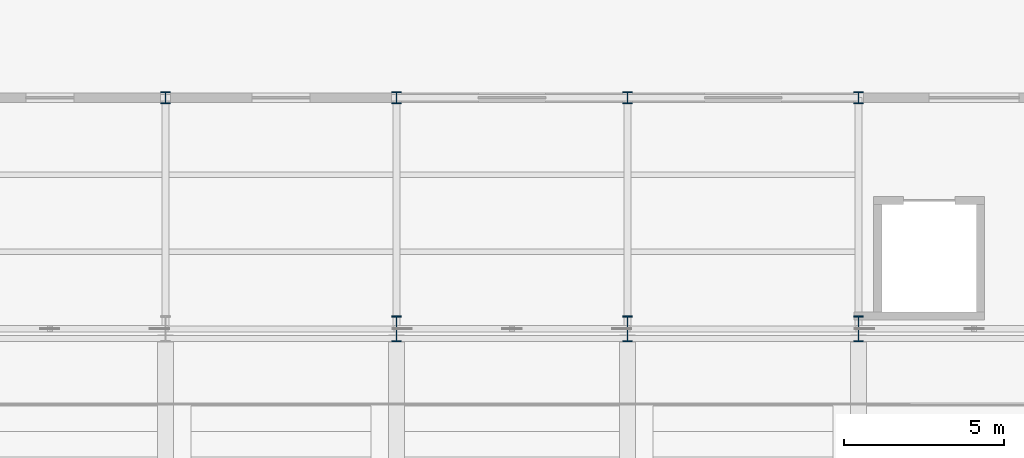
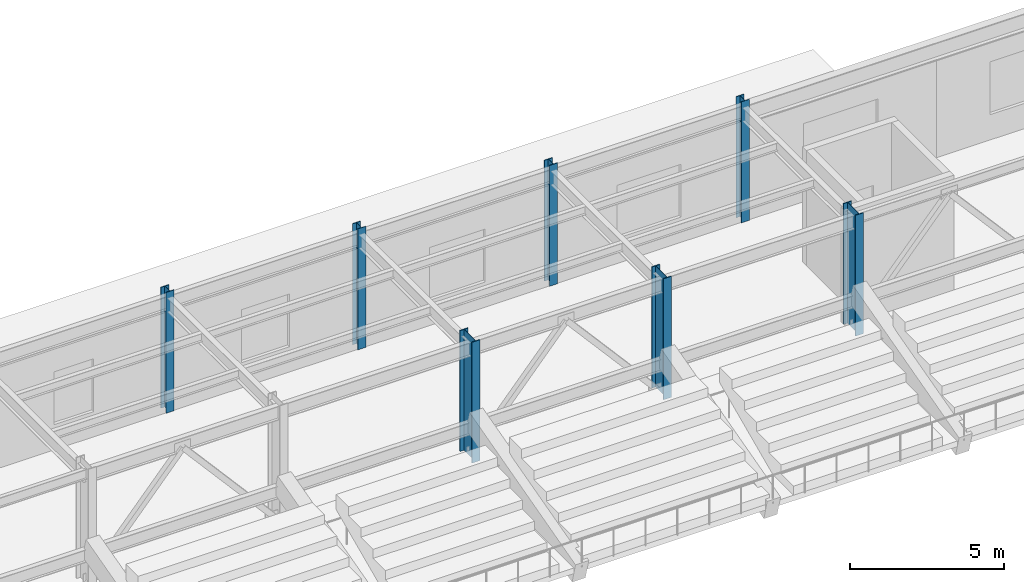
# One storey, part 7 of 121: 7 columns.
"""IFC4 building model written with IfcOpenShell, lengths in metres."""

import ifcopenshell
import ifcopenshell.guid

model = None  # the IFC model being written
_history = None  # IfcOwnerHistory: only IFC2X3 demands one
_inside = {}  # id of a spatial element -> (the spatial element, [elements in it])
_under = {}  # id of a project, library or spatial element -> (it, [spatial elements below it])
_declared = {}  # id of a project -> (the project, [libraries it declares])
_typed = {}  # id of a type object -> (the type object, [elements of that type])
_made_of = {}  # id of a material, layer set ... -> (it, [elements and type objects made of it])


def new_model(schema):
    """Start an empty IFC model of exactly this schema.

    Asked for "IFC4X3", IfcOpenShell would pick the latest addendum, in which some entities
    have other attributes; the version numbers below select the first issue.
    IFC2X3 requires an IfcOwnerHistory on every rooted entity: one is made here for all.
    """
    global model, _history
    if schema == "IFC4X3":
        model = ifcopenshell.file(schema_version=(4, 3, 0, 0))
    else:
        model = ifcopenshell.file(schema=schema)
    _inside.clear()
    _under.clear()
    _declared.clear()
    _typed.clear()
    _made_of.clear()
    _history = None
    if model.schema == "IFC2X3":
        org = make("IfcOrganization", Name="unknown")
        user = make(
            "IfcPersonAndOrganization",
            ThePerson=make("IfcPerson", FamilyName="unknown"),
            TheOrganization=org,
        )
        app = make(
            "IfcApplication",
            ApplicationDeveloper=org,
            Version="unknown",
            ApplicationFullName="unknown",
            ApplicationIdentifier="unknown",
        )
        _history = make(
            "IfcOwnerHistory",
            OwningUser=user,
            OwningApplication=app,
            ChangeAction="ADDED",
            CreationDate=0,
        )
    return model


def make(cls, **values):
    """One entity of the class cls with the attributes given. An attribute that is None is left unset."""
    return model.create_entity(
        cls, **{name: value for name, value in values.items() if value is not None}
    )


def rooted(cls, **values):
    """An entity with a GlobalId (a new one), such as an element, a storey or a relation."""
    return make(cls, GlobalId=ifcopenshell.guid.new(), OwnerHistory=_history, **values)


def si_unit(unit_type, name, prefix=None):
    """IfcSIUnit, for example si_unit("LENGTHUNIT", "METRE", prefix="MILLI")."""
    return make("IfcSIUnit", UnitType=unit_type, Prefix=prefix, Name=name)


def assignment(units):
    """IfcUnitAssignment: the units of a project."""
    return None if units is None else make("IfcUnitAssignment", Units=units)


def point(xyz):
    """IfcCartesianPoint."""
    return None if xyz is None else make("IfcCartesianPoint", Coordinates=xyz)


def direction(xyz):
    """IfcDirection."""
    return None if xyz is None else make("IfcDirection", DirectionRatios=xyz)


def frame(location, z_axis=None, x_axis=None):
    """IfcAxis2Placement3D, a coordinate frame: its origin and axes. An axis left out is left unset."""
    return make(
        "IfcAxis2Placement3D",
        Location=point(location),
        Axis=direction(z_axis),
        RefDirection=direction(x_axis),
    )


def frame_2d(location, x_axis=None):
    """IfcAxis2Placement2D, a coordinate frame in the plane: its origin and x axis."""
    return make(
        "IfcAxis2Placement2D", Location=point(location), RefDirection=direction(x_axis)
    )


def origin():
    """The frame at (0, 0, 0) with its axes left unset."""
    return frame((0.0, 0.0, 0.0))


def origin_2d():
    """The frame at (0, 0) in the plane with its x axis left unset."""
    return frame_2d((0.0, 0.0))


def place(relative_to, where):
    """IfcLocalPlacement: puts the frame where relative to a parent placement (None: the world)."""
    return make(
        "IfcLocalPlacement", PlacementRelTo=relative_to, RelativePlacement=where
    )


def context(
    kind, dimensions, precision=None, world=None, true_north=None, identifier=None
):
    """IfcGeometricRepresentationContext, for example the 3D "Model" context."""
    return make(
        "IfcGeometricRepresentationContext",
        ContextIdentifier=identifier,
        ContextType=kind,
        CoordinateSpaceDimension=dimensions,
        Precision=precision,
        WorldCoordinateSystem=world,
        TrueNorth=true_north,
    )


def subcontext(parent, identifier, kind, view, scale=None):
    """IfcGeometricRepresentationSubContext, for example "Body" below "Model"."""
    return make(
        "IfcGeometricRepresentationSubContext",
        ContextIdentifier=identifier,
        ContextType=kind,
        ParentContext=parent,
        TargetScale=scale,
        TargetView=view,
    )


def project(units=None, contexts=None):
    """IfcProject with its units and contexts."""
    return rooted(
        "IfcProject",
        Name="project",
        RepresentationContexts=contexts,
        UnitsInContext=assignment(units),
    )


def spatial(cls, under=None, at=None, **own):
    """A site, building, storey or space (cls), placed at a placement, below another one or the project."""
    s = rooted(cls, ObjectPlacement=at, **own)
    if under is not None:
        _under.setdefault(under.id(), (under, []))[1].append(s)
    return s


def profile(cls, at=None, kind="AREA", **sizes):
    """A parametric profile (cls). Its sizes go by their IFC names, for example OverallWidth=200.0."""
    return make(cls, ProfileType=kind, Position=at, **sizes)


def i_section(**sizes):
    """IfcIShapeProfileDef."""
    return profile("IfcIShapeProfileDef", **sizes)


def extrude(swept, where, along, depth):
    """IfcExtrudedAreaSolid: the profile swept, set in the frame where, extruded along a direction by depth."""
    return make(
        "IfcExtrudedAreaSolid",
        SweptArea=swept,
        Position=where,
        ExtrudedDirection=direction(along),
        Depth=depth,
    )


def shape(context_of_items, identifier, shape_type, items):
    """IfcShapeRepresentation: the items that make up one representation, for example the "Body"."""
    return make(
        "IfcShapeRepresentation",
        ContextOfItems=context_of_items,
        RepresentationIdentifier=identifier,
        RepresentationType=shape_type,
        Items=items,
    )


def material(Name=None, Category=None):
    """IfcMaterial."""
    return make("IfcMaterial", Name=Name, Category=Category)


def material_profile(
    of_material, cross_section, Name=None, Category=None, Priority=None
):
    """IfcMaterialProfile: a cross section and its material."""
    return make(
        "IfcMaterialProfile",
        Name=Name,
        Material=of_material,
        Profile=cross_section,
        Priority=Priority,
        Category=Category,
    )


def profile_set(profiles, Name=None, composite=None):
    """IfcMaterialProfileSet."""
    return make(
        "IfcMaterialProfileSet",
        Name=Name,
        MaterialProfiles=profiles,
        CompositeProfile=composite,
    )


def made_of(thing, what):
    """Note that an element or type object is made of a material, layer set ...; save() writes the relation."""
    if what is not None:
        _made_of.setdefault(what.id(), (what, []))[1].append(thing)
    return thing


def type_object(cls, material=None, **own):
    """A type object (cls), such as IfcWallType, which elements share."""
    return made_of(rooted(cls, **own), material)


def element(
    cls,
    number,
    at=None,
    inside=None,
    cuts=None,
    type_object=None,
    material=None,
    context=None,
    identifier="Body",
    shape_type=None,
    held_by="IfcProductDefinitionShape",
    body=None,
    shapes=None,
    **own,
):
    """One element of the class cls, such as IfcWall. Its Tag is "e" and its number.

    at: its placement. inside: the storey or other place that contains it. cuts: it is an
    opening in that element (IfcRelVoidsElement). A single representation is given by context,
    identifier, shape_type and body (its items); several are given by shapes. held_by: the class
    of the entity that holds the representations. save() writes the other relations.
    """
    e = rooted(cls, Tag="e%d" % number, ObjectPlacement=at, **own)
    if body is not None:
        shapes = [shape(context, identifier, shape_type, body)]
    if shapes is not None:
        e.Representation = make(held_by, Representations=shapes)
    if inside is not None:
        _inside.setdefault(inside.id(), (inside, []))[1].append(e)
    if cuts is not None:
        rooted(
            "IfcRelVoidsElement", RelatingBuildingElement=cuts, RelatedOpeningElement=e
        )
    if type_object is not None:
        _typed.setdefault(type_object.id(), (type_object, []))[1].append(e)
    return made_of(e, material)


def aggregate(whole, parts):
    """IfcRelAggregates: a whole, such as a stair, and the parts it consists of."""
    return rooted("IfcRelAggregates", RelatingObject=whole, RelatedObjects=parts)


def save(model, path):
    """Write the relations noted so far, then the file.

    IfcRelAggregates (storeys below a building ...), IfcRelContainedInSpatialStructure (elements
    in a storey), IfcRelDefinesByType, IfcRelAssociatesMaterial and IfcRelDeclares: one each for
    every whole, place, type object, material and project.
    """
    for whole, parts in _under.values():
        aggregate(whole, parts)
    for where, things in _inside.values():
        rooted(
            "IfcRelContainedInSpatialStructure",
            RelatedElements=things,
            RelatingStructure=where,
        )
    for kind, things in _typed.values():
        rooted("IfcRelDefinesByType", RelatedObjects=things, RelatingType=kind)
    for what, things in _made_of.values():
        rooted("IfcRelAssociatesMaterial", RelatedObjects=things, RelatingMaterial=what)
    for by, libraries in _declared.values():
        rooted("IfcRelDeclares", RelatingContext=by, RelatedDefinitions=libraries)
    model.write(path)


model = new_model("IFC4")

# Units and contexts
model_context = context("Model", 3, precision=1e-05, world=origin(), true_north=direction((0.0, 1.0)))
body_context = subcontext(model_context, "Body", "Model", "MODEL_VIEW")
ifc_project = project(units=[si_unit("LENGTHUNIT", "METRE"), si_unit("AREAUNIT", "SQUARE_METRE"), si_unit("VOLUMEUNIT", "CUBIC_METRE"), si_unit("PLANEANGLEUNIT", "RADIAN"), si_unit("MASSUNIT", "GRAM", prefix="KILO")], contexts=[model_context])

# Site, building, storey
site_placement = place(None, origin())
site = spatial("IfcSite", under=ifc_project, at=site_placement, CompositionType="ELEMENT")
building_placement = place(site_placement, origin())
building = spatial("IfcBuilding", under=site, at=building_placement, Name="Solvadek Multi-Sports Hall", CompositionType="ELEMENT")
storey_placement = place(building_placement, frame((0.0, 0.0, 4.800048828125)))
storey = spatial("IfcBuildingStorey", under=building, at=storey_placement, Name="L01", CompositionType="ELEMENT", Elevation=4.800048828125)

# Columns
ifc_material = material(Name="Steel E350 (350 MPa)", Category="steel")
ifc_material_profile_1 = material_profile(ifc_material, i_section(OverallWidth=0.300048828125, OverallDepth=0.360107421875, WebThickness=0.012451171875, FlangeThickness=0.0224609375, at=origin_2d()), Name="WPB 360")
ifc_profile_set_1 = profile_set([ifc_material_profile_1], Name="Steel E350 (350 MPa)")
column_type_1 = type_object("IfcColumnType", Name="STR-COL-WPB360", PredefinedType="COLUMN", material=ifc_profile_set_1)
for number, where, z_axis, x_axis, name in (
    (1, (100.800048828125, 49.199951171875, 0.0), (0.0, 0.0, 1.0), (1.0, 0.0, 0.0), "L01 Column C-08 #204"),
    (2, (108.0, 49.199951171875, 0.0), (0.0, 0.0, 1.0), (1.0, 0.0, 0.0), "L01 Column C-08 #212"),
    (3, (115.199951171875, 49.199951171875, 0.0), (0.0, 0.0, 1.0), (1.0, 0.0, 0.0), "L01 Column C-08 #220"),
    (4, (122.39990234375, 49.199951171875, 0.0), (0.0, 0.0, 1.0), (1.0, 0.0, 0.0), "L01 Column C-08 #228"),
):
    element("IfcColumn", number, at=place(storey_placement, frame(where, z_axis=z_axis, x_axis=x_axis)), inside=storey, type_object=column_type_1, Name=name, PredefinedType="COLUMN", context=body_context, shape_type="SweptSolid", body=[
        extrude(i_section(OverallWidth=0.300048828125, OverallDepth=0.360107421875, WebThickness=0.012451171875, FlangeThickness=0.0224609375, at=origin_2d()), origin(), (0.0, 0.0, 1.0), 4.800048828125),
    ])
ifc_material_profile_2 = material_profile(ifc_material, i_section(OverallWidth=0.300048828125, OverallDepth=0.800048828125, WebThickness=0.017578125, FlangeThickness=0.032958984375, at=origin_2d()), Name="WPB 800")
ifc_profile_set_2 = profile_set([ifc_material_profile_2], Name="Steel E350 (350 MPa)")
column_type_2 = type_object("IfcColumnType", Name="STR-COL-WPB800", PredefinedType="COLUMN", material=ifc_profile_set_2)
for number, where, z_axis, x_axis, name in (
    (5, (108.0, 42.0, 0.0), (0.0, 0.0, 1.0), (1.0, 0.0, 0.0), "L01 Column C-01 #211"),
    (6, (115.199951171875, 42.0, 0.0), (0.0, 0.0, 1.0), (1.0, 0.0, 0.0), "L01 Column C-01 #219"),
    (7, (122.39990234375, 42.0, 0.0), (0.0, 0.0, 1.0), (1.0, 0.0, 0.0), "L01 Column C-01 #227"),
):
    element("IfcColumn", number, at=place(storey_placement, frame(where, z_axis=z_axis, x_axis=x_axis)), inside=storey, type_object=column_type_2, Name=name, PredefinedType="COLUMN", context=body_context, shape_type="SweptSolid", body=[
        extrude(i_section(OverallWidth=0.300048828125, OverallDepth=0.800048828125, WebThickness=0.017578125, FlangeThickness=0.032958984375, at=origin_2d()), origin(), (0.0, 0.0, 1.0), 4.800048828125),
    ])

save(model, "model.ifc")
